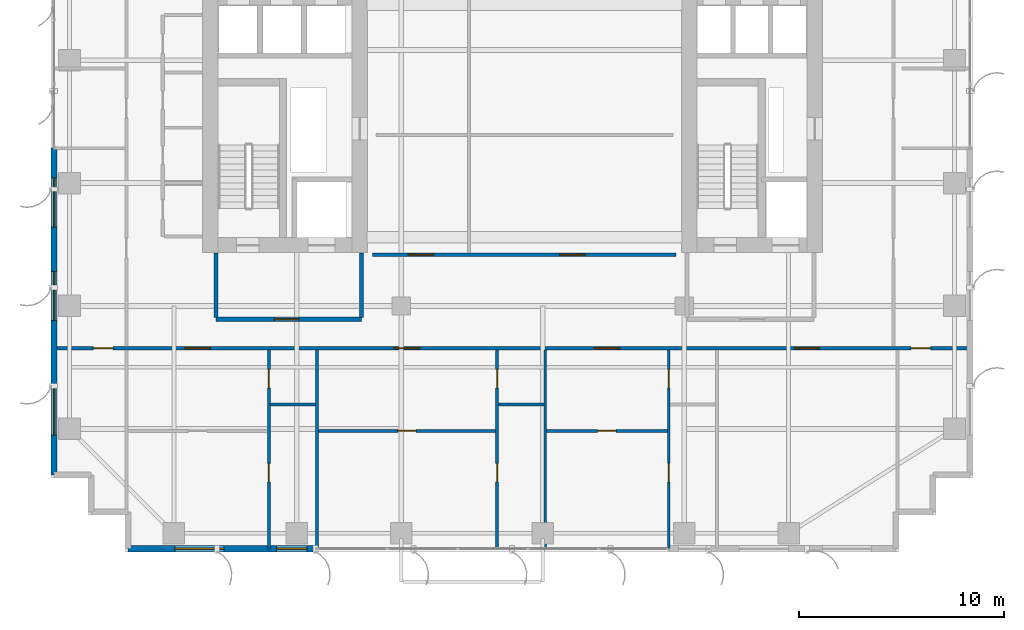
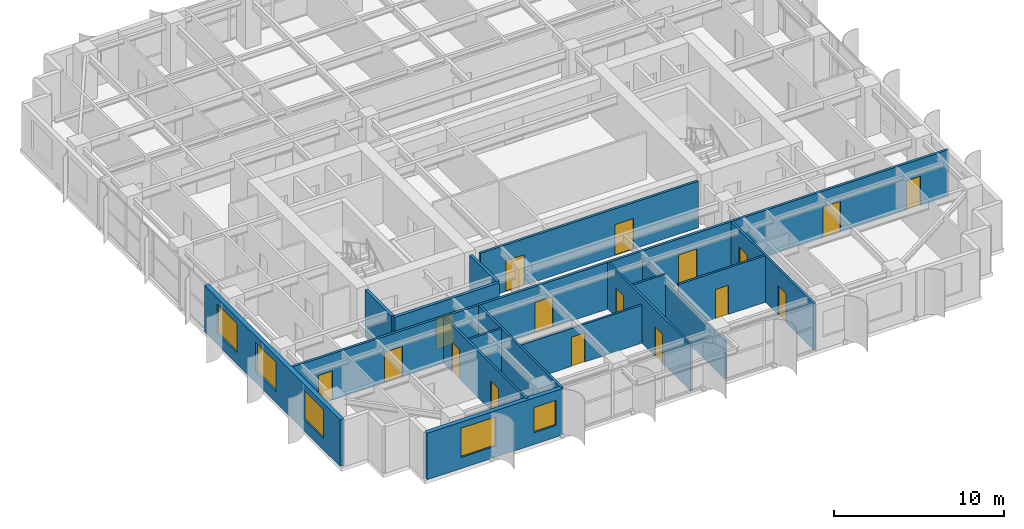
# One storey, part 20 of 27: 17 doors, 16 walls, 5 windows, 22 openings.
"""IFC4 building model written with IfcOpenShell, lengths in metres."""

from ifc_helpers import new_model, si_unit, direction, frame, frame_2d, origin, place, context, subcontext, project, spatial, rectangle, extrude, source, transform, mapped, material, layer, layer_set, type_object, element, fill, save


model = new_model("IFC4")

# Units and contexts
model_context = context("Model", 3, precision=1e-05, world=origin(), true_north=direction((0.0, 1.0)))
body_context = subcontext(model_context, "Body", "Model", "MODEL_VIEW")
ifc_project = project(units=[si_unit("LENGTHUNIT", "METRE"), si_unit("AREAUNIT", "SQUARE_METRE"), si_unit("VOLUMEUNIT", "CUBIC_METRE"), si_unit("PLANEANGLEUNIT", "RADIAN"), si_unit("MASSUNIT", "GRAM", prefix="KILO")], contexts=[model_context])

# Site, building, storey
site_placement = place(None, origin())
site = spatial("IfcSite", under=ifc_project, at=site_placement, CompositionType="ELEMENT")
building_placement = place(site_placement, origin())
building = spatial("IfcBuilding", under=site, at=building_placement, Name="Khoralis Quay Care Tower", CompositionType="ELEMENT")
storey_placement = place(building_placement, frame((0.0, 0.0, 105.300048828125)))
storey = spatial("IfcBuildingStorey", under=building, at=storey_placement, Name="L27", CompositionType="ELEMENT", Elevation=105.300048828125)

# Wall, opening, door
ifc_material_1 = material(Name="Gypsum plasterboard on acoustic metal stud")
ifc_layer_1 = layer(ifc_material_1, 0.199951171875)
ifc_layer_set_1 = layer_set([ifc_layer_1], Name="Gypsum plasterboard on acoustic metal stud")
wall_type_1 = type_object("IfcWallType", Name="WL-COMP-200", PredefinedType="PARTITIONING", material=ifc_layer_set_1)
wall_1_placement = place(storey_placement, frame((8.050048828125, 11.35009765625, 0.0), z_axis=(0.0, 0.0, 1.0), x_axis=(1.0, 0.0, 0.0)))
wall_1 = element("IfcWall", 1, at=wall_1_placement, inside=storey, type_object=wall_type_1, Name="L27 West Firefighting Lobby South Wall", PredefinedType="PARTITIONING", context=body_context, shape_type="SweptSolid", body=[
    extrude(rectangle(XDim=7.099853515625, YDim=0.199951171875, at=frame_2d((3.5498046875, 0.0))), origin(), (0.0, 0.0, 1.0), 3.33984375),
])
opening_1_placement = place(wall_1_placement, frame((2.846435546875, 0.0, 0.0)))
opening_1 = element("IfcOpeningElement", 2, at=opening_1_placement, cuts=wall_1, Name="Opening FD1", PredefinedType="OPENING", context=body_context, shape_type="SweptSolid", body=[
    extrude(rectangle(XDim=1.199951171875, YDim=2.199951171875, at=frame_2d((0.60009765625, 1.10009765625))), frame((0.0, 0.10986328125, 0.0), z_axis=(0.0, -1.0, 0.0), x_axis=(1.0, 0.0, 0.0)), (0.0, 0.0, 1.0), 0.219970703125),
])
ifc_material_2 = material(Name="Fire-rated painted steel", Category="steel")
door_type_1 = type_object("IfcDoorType", Name="DR-FFL-1200X2200", OperationType="NOTDEFINED", PredefinedType="DOOR", material=ifc_material_2)
shared_shape_1 = source(origin(), body_context, "Body", "SweptSolid", [
    extrude(rectangle(XDim=1.199951171875, YDim=2.199951171875, at=frame_2d((0.60009765625, 1.10009765625))), frame((0.0, 0.02490234375, 0.0), z_axis=(0.0, -1.0, 0.0), x_axis=(1.0, 0.0, 0.0)), (0.0, 0.0, 1.0), 0.050048828125),
])
door_1_placement = place(opening_1_placement, origin())
door_1 = element("IfcDoor", 3, at=door_1_placement, inside=storey, type_object=door_type_1, Name="L27 West Firefighting Lobby Fire Door", OperationType="SINGLE_SWING_LEFT", OverallHeight=2.199951171875, OverallWidth=1.199951171875, PredefinedType="DOOR", context=body_context, shape_type="MappedRepresentation", body=[
    mapped(shared_shape_1, transform((0.0, 0.0, 0.0), scale=1.0)),
])
fill(opening_1, door_1)

# Walls
for number, where, z_axis, x_axis, name in (
    (4, (8.050048828125, 11.445068359375, 0.0), (0.0, 0.0, 1.0), (0.0, 1.0, 0.0), "L27 West Firefighting Lobby West Wall"),
    (5, (15.14990234375, 11.445068359375, 0.0), (0.0, 0.0, 1.0), (0.0, 1.0, 0.0), "L27 West Firefighting Lobby East Wall"),
):
    element("IfcWall", number, at=place(storey_placement, frame(where, z_axis=z_axis, x_axis=x_axis)), inside=storey, type_object=wall_type_1, Name=name, PredefinedType="PARTITIONING", context=body_context, shape_type="SweptSolid", body=[
        extrude(rectangle(XDim=3.135009765625, YDim=0.199951171875, at=frame_2d((1.5673828125, 0.0))), origin(), (0.0, 0.0, 1.0), 3.33984375),
    ])

# Wall, openings, doors
ifc_layer_2 = layer(ifc_material_1, 0.1650390625)
ifc_layer_set_2 = layer_set([ifc_layer_2], Name="Gypsum plasterboard on acoustic metal stud")
wall_type_2 = type_object("IfcWallType", Name="WL-CORR-165", PredefinedType="PARTITIONING", material=ifc_layer_set_2)
wall_2_placement = place(storey_placement, frame((0.14501953125, 9.93994140625, 0.0), z_axis=(0.0, 0.0, 1.0), x_axis=(1.0, 0.0, 0.0)))
wall_2 = element("IfcWall", 6, at=wall_2_placement, inside=storey, type_object=wall_type_2, Name="L27 South Main Corridor Wall", PredefinedType="PARTITIONING", context=body_context, shape_type="SweptSolid", body=[
    extrude(rectangle(XDim=44.7099609375, YDim=0.1650390625, at=frame_2d((22.35498046875, 0.0))), origin(), (0.0, 0.0, 1.0), 3.33984375),
])
opening_2_placement = place(wall_2_placement, frame((6.385009765625, 0.0, 0.0)))
opening_2 = element("IfcOpeningElement", 7, at=opening_2_placement, cuts=wall_2, Name="Opening CD1", PredefinedType="OPENING", context=body_context, shape_type="SweptSolid", body=[
    extrude(rectangle(XDim=1.25, YDim=2.199951171875, at=frame_2d((0.625, 1.10009765625))), frame((0.0, 0.092529296875, 0.0), z_axis=(0.0, -1.0, 0.0), x_axis=(1.0, 0.0, 0.0)), (0.0, 0.0, 1.0), 0.18505859375),
])
opening_3_placement = place(wall_2_placement, frame((16.60498046875, 0.0, 0.0)))
opening_3 = element("IfcOpeningElement", 8, at=opening_3_placement, cuts=wall_2, Name="Opening CD1", PredefinedType="OPENING", context=body_context, shape_type="SweptSolid", body=[
    extrude(rectangle(XDim=1.25, YDim=2.199951171875, at=frame_2d((0.625, 1.10009765625))), frame((0.0, 0.092529296875, 0.0), z_axis=(0.0, -1.0, 0.0), x_axis=(1.0, 0.0, 0.0)), (0.0, 0.0, 1.0), 0.18505859375),
])
opening_4_placement = place(wall_2_placement, frame((26.364990234375, 0.0, 0.0)))
opening_4 = element("IfcOpeningElement", 9, at=opening_4_placement, cuts=wall_2, Name="Opening CD1", PredefinedType="OPENING", context=body_context, shape_type="SweptSolid", body=[
    extrude(rectangle(XDim=1.25, YDim=2.199951171875, at=frame_2d((0.625, 1.10009765625))), frame((0.0, 0.092529296875, 0.0), z_axis=(0.0, -1.0, 0.0), x_axis=(1.0, 0.0, 0.0)), (0.0, 0.0, 1.0), 0.18505859375),
])
opening_5_placement = place(wall_2_placement, frame((36.1650390625, 0.0, 0.0)))
opening_5 = element("IfcOpeningElement", 10, at=opening_5_placement, cuts=wall_2, Name="Opening FD1", PredefinedType="OPENING", context=body_context, shape_type="SweptSolid", body=[
    extrude(rectangle(XDim=1.199951171875, YDim=2.199951171875, at=frame_2d((0.60009765625, 1.10009765625))), frame((0.0, 0.092529296875, 0.0), z_axis=(0.0, -1.0, 0.0), x_axis=(1.0, 0.0, 0.0)), (0.0, 0.0, 1.0), 0.18505859375),
])
opening_6_placement = place(wall_2_placement, frame((1.919921875, 0.0, 0.0)))
opening_6 = element("IfcOpeningElement", 11, at=opening_6_placement, cuts=wall_2, Name="Opening ID1", PredefinedType="OPENING", context=body_context, shape_type="SweptSolid", body=[
    extrude(rectangle(XDim=0.949951171875, YDim=2.10009765625, at=frame_2d((0.47509765625, 1.050048828125))), frame((0.0, 0.092529296875, 0.0), z_axis=(0.0, -1.0, 0.0), x_axis=(1.0, 0.0, 0.0)), (0.0, 0.0, 1.0), 0.18505859375),
])
opening_7_placement = place(wall_2_placement, frame((41.840087890625, 0.0, 0.0)))
opening_7 = element("IfcOpeningElement", 12, at=opening_7_placement, cuts=wall_2, Name="Opening ID1", PredefinedType="OPENING", context=body_context, shape_type="SweptSolid", body=[
    extrude(rectangle(XDim=0.949951171875, YDim=2.10009765625, at=frame_2d((0.47509765625, 1.050048828125))), frame((0.0, 0.092529296875, 0.0), z_axis=(0.0, -1.0, 0.0), x_axis=(1.0, 0.0, 0.0)), (0.0, 0.0, 1.0), 0.18505859375),
])
door_2_placement = place(opening_5_placement, frame((1.199951171875, 0.0, 0.0), z_axis=(0.0, 0.0, 1.0), x_axis=(-1.0, 0.0, 0.0)))
door_2 = element("IfcDoor", 13, at=door_2_placement, inside=storey, type_object=door_type_1, Name="L27 Assisted Communal Dining Room Door", OperationType="DOUBLE_DOOR_SINGLE_SWING", OverallHeight=2.199951171875, OverallWidth=1.199951171875, PredefinedType="DOOR", context=body_context, shape_type="MappedRepresentation", body=[
    mapped(shared_shape_1, transform((0.0, 0.0, 0.0), scale=1.0)),
])
fill(opening_5, door_2)
ifc_material_3 = material(Name="Acoustic hardwood timber", Category="wood")
door_type_2 = type_object("IfcDoorType", Name="DR-CARE-1250X2200", OperationType="NOTDEFINED", PredefinedType="DOOR", material=ifc_material_3)
shared_shape_2 = source(origin(), body_context, "Body", "SweptSolid", [
    extrude(rectangle(XDim=1.25, YDim=2.199951171875, at=frame_2d((0.625, 1.10009765625))), frame((0.0, 0.02490234375, 0.0), z_axis=(0.0, -1.0, 0.0), x_axis=(1.0, 0.0, 0.0)), (0.0, 0.0, 1.0), 0.050048828125),
])
door_3_placement = place(opening_2_placement, frame((1.25, 0.0, 0.0), z_axis=(0.0, 0.0, 1.0), x_axis=(-1.0, 0.0, 0.0)))
door_3 = element("IfcDoor", 14, at=door_3_placement, inside=storey, type_object=door_type_2, Name="L27 Care Suite SB0 Clinical Door", OperationType="SINGLE_SWING_LEFT", OverallHeight=2.199951171875, OverallWidth=1.25, PredefinedType="DOOR", context=body_context, shape_type="MappedRepresentation", body=[
    mapped(shared_shape_2, transform((0.0, 0.0, 0.0), scale=1.0)),
])
fill(opening_2, door_3)
door_4_placement = place(opening_3_placement, frame((1.25, 0.0, 0.0), z_axis=(0.0, 0.0, 1.0), x_axis=(-1.0, 0.0, 0.0)))
door_4 = element("IfcDoor", 15, at=door_4_placement, inside=storey, type_object=door_type_2, Name="L27 Care Suite SB1 Clinical Door", OperationType="SINGLE_SWING_RIGHT", OverallHeight=2.199951171875, OverallWidth=1.25, PredefinedType="DOOR", context=body_context, shape_type="MappedRepresentation", body=[
    mapped(shared_shape_2, transform((0.0, 0.0, 0.0), scale=1.0)),
])
fill(opening_3, door_4)
door_5_placement = place(opening_4_placement, frame((1.25, 0.0, 0.0), z_axis=(0.0, 0.0, 1.0), x_axis=(-1.0, 0.0, 0.0)))
door_5 = element("IfcDoor", 16, at=door_5_placement, inside=storey, type_object=door_type_2, Name="L27 Care Suite SB2 Clinical Door", OperationType="SINGLE_SWING_LEFT", OverallHeight=2.199951171875, OverallWidth=1.25, PredefinedType="DOOR", context=body_context, shape_type="MappedRepresentation", body=[
    mapped(shared_shape_2, transform((0.0, 0.0, 0.0), scale=1.0)),
])
fill(opening_4, door_5)
door_type_3 = type_object("IfcDoorType", Name="DR-ROOM-950X2100", OperationType="NOTDEFINED", PredefinedType="DOOR", material=ifc_material_3)
shared_shape_3 = source(origin(), body_context, "Body", "SweptSolid", [
    extrude(rectangle(XDim=0.949951171875, YDim=2.10009765625, at=frame_2d((0.47509765625, 1.050048828125))), frame((0.0, 0.02490234375, 0.0), z_axis=(0.0, -1.0, 0.0), x_axis=(1.0, 0.0, 0.0)), (0.0, 0.0, 1.0), 0.050048828125),
])
door_6_placement = place(opening_6_placement, frame((0.949951171875, 0.0, 0.0), z_axis=(0.0, 0.0, 1.0), x_axis=(-1.0, 0.0, 0.0)))
door_6 = element("IfcDoor", 17, at=door_6_placement, inside=storey, type_object=door_type_3, Name="L27 SW Corner Door", OperationType="SINGLE_SWING_LEFT", OverallHeight=2.10009765625, OverallWidth=0.949951171875, PredefinedType="DOOR", context=body_context, shape_type="MappedRepresentation", body=[
    mapped(shared_shape_3, transform((0.0, 0.0, 0.0), scale=1.0)),
])
fill(opening_6, door_6)
door_7_placement = place(opening_7_placement, frame((0.949951171875, 0.0, 0.0), z_axis=(0.0, 0.0, 1.0), x_axis=(-1.0, 0.0, 0.0)))
door_7 = element("IfcDoor", 18, at=door_7_placement, inside=storey, type_object=door_type_3, Name="L27 SE Corner Door", OperationType="SINGLE_SWING_RIGHT", OverallHeight=2.10009765625, OverallWidth=0.949951171875, PredefinedType="DOOR", context=body_context, shape_type="MappedRepresentation", body=[
    mapped(shared_shape_3, transform((0.0, 0.0, 0.0), scale=1.0)),
])
fill(opening_7, door_7)

wall_3_placement = place(storey_placement, frame((15.699951171875, 14.5, 0.0), z_axis=(0.0, 0.0, 1.0), x_axis=(1.0, 0.0, 0.0)))
wall_3 = element("IfcWall", 19, at=wall_3_placement, inside=storey, type_object=wall_type_2, Name="L27 Central Clinical South Wall", PredefinedType="PARTITIONING", context=body_context, shape_type="SweptSolid", body=[
    extrude(rectangle(XDim=14.800048828125, YDim=0.1650390625, at=frame_2d((7.39990234375, 0.0))), origin(), (0.0, 0.0, 1.0), 3.33984375),
])
opening_8_placement = place(wall_3_placement, frame((1.72509765625, 0.0, 0.0)))
opening_8 = element("IfcOpeningElement", 20, at=opening_8_placement, cuts=wall_3, Name="Opening CD1", PredefinedType="OPENING", context=body_context, shape_type="SweptSolid", body=[
    extrude(rectangle(XDim=1.25, YDim=2.199951171875, at=frame_2d((0.625, 1.10009765625))), frame((0.0, 0.092529296875, 0.0), z_axis=(0.0, -1.0, 0.0), x_axis=(1.0, 0.0, 0.0)), (0.0, 0.0, 1.0), 0.18505859375),
])
opening_9_placement = place(wall_3_placement, frame((9.125, 0.0, 0.0)))
opening_9 = element("IfcOpeningElement", 21, at=opening_9_placement, cuts=wall_3, Name="Opening CD1", PredefinedType="OPENING", context=body_context, shape_type="SweptSolid", body=[
    extrude(rectangle(XDim=1.25, YDim=2.199951171875, at=frame_2d((0.625, 1.10009765625))), frame((0.0, 0.092529296875, 0.0), z_axis=(0.0, -1.0, 0.0), x_axis=(1.0, 0.0, 0.0)), (0.0, 0.0, 1.0), 0.18505859375),
])
door_8_placement = place(opening_8_placement, origin())
door_8 = element("IfcDoor", 22, at=door_8_placement, inside=storey, type_object=door_type_2, Name="L27 Nurse Station Door", OperationType="SINGLE_SWING_LEFT", OverallHeight=2.199951171875, OverallWidth=1.25, PredefinedType="DOOR", context=body_context, shape_type="MappedRepresentation", body=[
    mapped(shared_shape_2, transform((0.0, 0.0, 0.0), scale=1.0)),
])
fill(opening_8, door_8)
door_9_placement = place(opening_9_placement, origin())
door_9 = element("IfcDoor", 23, at=door_9_placement, inside=storey, type_object=door_type_2, Name="L27 Treatment Clinic Door", OperationType="SINGLE_SWING_RIGHT", OverallHeight=2.199951171875, OverallWidth=1.25, PredefinedType="DOOR", context=body_context, shape_type="MappedRepresentation", body=[
    mapped(shared_shape_2, transform((0.0, 0.0, 0.0), scale=1.0)),
])
fill(opening_9, door_9)

# Wall, openings, windows
ifc_material_4 = material(Name="Precast concrete C45/55", Category="concrete")
ifc_layer_3 = layer(ifc_material_4, 0.300048828125)
ifc_layer_set_3 = layer_set([ifc_layer_3], Name="Precast concrete C45/55")
wall_type_3 = type_object("IfcWallType", Name="WL-EXT-REF-300", PredefinedType="SOLIDWALL", material=ifc_layer_set_3)
wall_4_placement = place(storey_placement, frame((3.75, 0.14990234375, 0.0), z_axis=(0.0, 0.0, 1.0), x_axis=(1.0, 0.0, 0.0)))
wall_4 = element("IfcWall", 24, at=wall_4_placement, inside=storey, type_object=wall_type_3, Name="L27 External Facade Wall WL-EXT-L27-P1-E0A", PredefinedType="SOLIDWALL", context=body_context, shape_type="SweptSolid", body=[
    extrude(rectangle(XDim=9.22998046875, YDim=0.300048828125, at=frame_2d((4.614990234375, 0.0))), origin(), (0.0, 0.0, 1.0), 3.33984375),
])
opening_10_placement = place(wall_4_placement, frame((2.2900390625, 0.0, 0.800048828125)))
opening_10 = element("IfcOpeningElement", 25, at=opening_10_placement, cuts=wall_4, Name="Opening W1", PredefinedType="OPENING", context=body_context, shape_type="SweptSolid", body=[
    extrude(rectangle(XDim=2.39990234375, YDim=2.10009765625, at=frame_2d((1.199951171875, 1.050048828125))), frame((0.0, 0.16015625, 0.0), z_axis=(0.0, -1.0, 0.0), x_axis=(1.0, 0.0, 0.0)), (0.0, 0.0, 1.0), 0.320068359375),
])
opening_11_placement = place(wall_4_placement, frame((7.2548828125, 0.0, 0.85009765625)))
opening_11 = element("IfcOpeningElement", 26, at=opening_11_placement, cuts=wall_4, Name="Opening W3", PredefinedType="OPENING", context=body_context, shape_type="SweptSolid", body=[
    extrude(rectangle(XDim=1.5, YDim=1.800048828125, at=frame_2d((0.75, 0.89990234375))), frame((0.0, 0.16015625, 0.0), z_axis=(0.0, -1.0, 0.0), x_axis=(1.0, 0.0, 0.0)), (0.0, 0.0, 1.0), 0.320068359375),
])
ifc_material_5 = material(Name="Low-E solar-control double glazing", Category="glass")
window_type_1 = type_object("IfcWindowType", Name="WN-CLIN-1500X1800", PartitioningType="SINGLE_PANEL", PredefinedType="WINDOW", material=ifc_material_5)
shared_shape_4 = source(origin(), body_context, "Body", "SweptSolid", [
    extrude(rectangle(XDim=1.5, YDim=1.800048828125, at=frame_2d((0.75, 0.89990234375))), frame((0.0, 0.030029296875, 0.0), z_axis=(0.0, -1.0, 0.0), x_axis=(1.0, 0.0, 0.0)), (0.0, 0.0, 1.0), 0.06005859375),
])
window_1_placement = place(opening_11_placement, origin())
window_1 = element("IfcWindow", 27, at=window_1_placement, inside=storey, type_object=window_type_1, Name="WN-L27-P1-E0A Facade Window 02", OverallHeight=1.800048828125, OverallWidth=1.5, PartitioningType="SINGLE_PANEL", PredefinedType="WINDOW", context=body_context, shape_type="MappedRepresentation", body=[
    mapped(shared_shape_4, transform((0.0, 0.0, 0.0), scale=1.0)),
])
fill(opening_11, window_1)
window_type_2 = type_object("IfcWindowType", Name="WN-POD-2400X2100", PartitioningType="SINGLE_PANEL", PredefinedType="WINDOW", material=ifc_material_5)
shared_shape_5 = source(origin(), body_context, "Body", "SweptSolid", [
    extrude(rectangle(XDim=2.39990234375, YDim=2.10009765625, at=frame_2d((1.199951171875, 1.050048828125))), frame((0.0, 0.030029296875, 0.0), z_axis=(0.0, -1.0, 0.0), x_axis=(1.0, 0.0, 0.0)), (0.0, 0.0, 1.0), 0.06005859375),
])
window_2_placement = place(opening_10_placement, origin())
window_2 = element("IfcWindow", 28, at=window_2_placement, inside=storey, type_object=window_type_2, Name="WN-L27-P1-E0A Facade Window 01", OverallHeight=2.10009765625, OverallWidth=2.39990234375, PartitioningType="SINGLE_PANEL", PredefinedType="WINDOW", context=body_context, shape_type="MappedRepresentation", body=[
    mapped(shared_shape_5, transform((0.0, 0.0, 0.0), scale=1.0)),
])
fill(opening_10, window_2)

wall_5_placement = place(storey_placement, frame((0.14990234375, 19.699951171875, 0.0), z_axis=(0.0, 0.0, 1.0), x_axis=(0.0, -1.0, 0.0)))
wall_5 = element("IfcWall", 29, at=wall_5_placement, inside=storey, type_object=wall_type_3, Name="L27 External Facade Wall WL-EXT-L27-P1-E15B", PredefinedType="SOLIDWALL", context=body_context, shape_type="SweptSolid", body=[
    extrude(rectangle(XDim=15.949951171875, YDim=0.300048828125, at=frame_2d((7.97509765625, 0.0))), origin(), (0.0, 0.0, 1.0), 3.33984375),
])
opening_12_placement = place(wall_5_placement, frame((1.445068359375, 0.0, 0.800048828125)))
opening_12 = element("IfcOpeningElement", 30, at=opening_12_placement, cuts=wall_5, Name="Opening W1", PredefinedType="OPENING", context=body_context, shape_type="SweptSolid", body=[
    extrude(rectangle(XDim=2.39990234375, YDim=2.10009765625, at=frame_2d((1.199951171875, 1.050048828125))), frame((0.0, 0.16015625, 0.0), z_axis=(0.0, -1.0, 0.0), x_axis=(1.0, 0.0, 0.0)), (0.0, 0.0, 1.0), 0.320068359375),
])
opening_13_placement = place(wall_5_placement, frame((6.014892578125, 0.0, 0.800048828125)))
opening_13 = element("IfcOpeningElement", 31, at=opening_13_placement, cuts=wall_5, Name="Opening W1", PredefinedType="OPENING", context=body_context, shape_type="SweptSolid", body=[
    extrude(rectangle(XDim=2.39990234375, YDim=2.10009765625, at=frame_2d((1.199951171875, 1.050048828125))), frame((0.0, 0.16015625, 0.0), z_axis=(0.0, -1.0, 0.0), x_axis=(1.0, 0.0, 0.0)), (0.0, 0.0, 1.0), 0.320068359375),
])
opening_14_placement = place(wall_5_placement, frame((11.60498046875, 0.0, 0.800048828125)))
opening_14 = element("IfcOpeningElement", 32, at=opening_14_placement, cuts=wall_5, Name="Opening W1", PredefinedType="OPENING", context=body_context, shape_type="SweptSolid", body=[
    extrude(rectangle(XDim=2.39990234375, YDim=2.10009765625, at=frame_2d((1.199951171875, 1.050048828125))), frame((0.0, 0.16015625, 0.0), z_axis=(0.0, -1.0, 0.0), x_axis=(1.0, 0.0, 0.0)), (0.0, 0.0, 1.0), 0.320068359375),
])
window_3_placement = place(opening_12_placement, origin())
window_3 = element("IfcWindow", 33, at=window_3_placement, inside=storey, type_object=window_type_2, Name="WN-L27-P1-E15B Facade Window 01", OverallHeight=2.10009765625, OverallWidth=2.39990234375, PartitioningType="SINGLE_PANEL", PredefinedType="WINDOW", context=body_context, shape_type="MappedRepresentation", body=[
    mapped(shared_shape_5, transform((0.0, 0.0, 0.0), scale=1.0)),
])
fill(opening_12, window_3)
window_4_placement = place(opening_13_placement, origin())
window_4 = element("IfcWindow", 34, at=window_4_placement, inside=storey, type_object=window_type_2, Name="WN-L27-P1-E15B Facade Window 02", OverallHeight=2.10009765625, OverallWidth=2.39990234375, PartitioningType="SINGLE_PANEL", PredefinedType="WINDOW", context=body_context, shape_type="MappedRepresentation", body=[
    mapped(shared_shape_5, transform((0.0, 0.0, 0.0), scale=1.0)),
])
fill(opening_13, window_4)
window_5_placement = place(opening_14_placement, origin())
window_5 = element("IfcWindow", 35, at=window_5_placement, inside=storey, type_object=window_type_2, Name="WN-L27-P1-E15B Facade Window 03", OverallHeight=2.10009765625, OverallWidth=2.39990234375, PartitioningType="SINGLE_PANEL", PredefinedType="WINDOW", context=body_context, shape_type="MappedRepresentation", body=[
    mapped(shared_shape_5, transform((0.0, 0.0, 0.0), scale=1.0)),
])
fill(opening_14, window_5)

# Wall, openings, doors
ifc_material_6 = material(Name="Moisture-resistant gypsum and ceramic tile")
ifc_layer_4 = layer(ifc_material_6, 0.280029296875)
ifc_layer_set_4 = layer_set([ifc_layer_4], Name="Moisture-resistant gypsum and ceramic tile")
wall_type_4 = type_object("IfcWallType", Name="WL-PLUMB-280", PredefinedType="PLUMBINGWALL", material=ifc_layer_set_4)
wall_6_placement = place(storey_placement, frame((10.6298828125, 0.14501953125, 0.0), z_axis=(0.0, 0.0, 1.0), x_axis=(0.0, 1.0, 0.0)))
wall_6 = element("IfcWall", 36, at=wall_6_placement, inside=storey, type_object=wall_type_4, Name="L27 Care Suite 0 En-Suite Wall V", PredefinedType="PLUMBINGWALL", context=body_context, shape_type="SweptSolid", body=[
    extrude(rectangle(XDim=9.717529296875, YDim=0.139892578125, at=frame_2d((4.85888671875, 0.0))), origin(), (0.0, 0.0, 1.0), 3.33984375),
])
opening_15_placement = place(wall_6_placement, frame((7.85498046875, 0.0, 0.0)))
opening_15 = element("IfcOpeningElement", 37, at=opening_15_placement, cuts=wall_6, Name="Opening WD1", PredefinedType="OPENING", context=body_context, shape_type="SweptSolid", body=[
    extrude(rectangle(XDim=0.89990234375, YDim=2.10009765625, at=frame_2d((0.449951171875, 1.050048828125))), frame((0.0, 0.080078125, 0.0), z_axis=(0.0, -1.0, 0.0), x_axis=(1.0, 0.0, 0.0)), (0.0, 0.0, 1.0), 0.159912109375),
])
opening_16_placement = place(wall_6_placement, frame((3.27490234375, 0.0, 0.0)))
opening_16 = element("IfcOpeningElement", 38, at=opening_16_placement, cuts=wall_6, Name="Opening WD1", PredefinedType="OPENING", context=body_context, shape_type="SweptSolid", body=[
    extrude(rectangle(XDim=0.89990234375, YDim=2.10009765625, at=frame_2d((0.449951171875, 1.050048828125))), frame((0.0, 0.080078125, 0.0), z_axis=(0.0, -1.0, 0.0), x_axis=(1.0, 0.0, 0.0)), (0.0, 0.0, 1.0), 0.159912109375),
])
door_type_4 = type_object("IfcDoorType", Name="DR-BATH-900X2100", OperationType="NOTDEFINED", PredefinedType="DOOR", material=ifc_material_3)
shared_shape_6 = source(origin(), body_context, "Body", "SweptSolid", [
    extrude(rectangle(XDim=0.89990234375, YDim=2.10009765625, at=frame_2d((0.449951171875, 1.050048828125))), frame((0.0, 0.02490234375, 0.0), z_axis=(0.0, -1.0, 0.0), x_axis=(1.0, 0.0, 0.0)), (0.0, 0.0, 1.0), 0.050048828125),
])
door_10_placement = place(opening_15_placement, frame((0.89990234375, 0.0, 0.0), z_axis=(0.0, 0.0, 1.0), x_axis=(-1.0, 0.0, 0.0)))
door_10 = element("IfcDoor", 39, at=door_10_placement, inside=storey, type_object=door_type_4, Name="L27 Care CENS Door", OperationType="SINGLE_SWING_RIGHT", OverallHeight=2.10009765625, OverallWidth=0.89990234375, PredefinedType="DOOR", context=body_context, shape_type="MappedRepresentation", body=[
    mapped(shared_shape_6, transform((0.0, 0.0, 0.0), scale=1.0)),
])
fill(opening_15, door_10)
door_11_placement = place(opening_16_placement, frame((0.89990234375, 0.0, 0.0), z_axis=(0.0, 0.0, 1.0), x_axis=(-1.0, 0.0, 0.0)))
door_11 = element("IfcDoor", 40, at=door_11_placement, inside=storey, type_object=door_type_4, Name="L27 Care CSIT Door", OperationType="SINGLE_SWING_LEFT", OverallHeight=2.10009765625, OverallWidth=0.89990234375, PredefinedType="DOOR", context=body_context, shape_type="MappedRepresentation", body=[
    mapped(shared_shape_6, transform((0.0, 0.0, 0.0), scale=1.0)),
])
fill(opening_16, door_11)

# Wall
wall_7_placement = place(storey_placement, frame((10.695068359375, 7.18994140625, 0.0), z_axis=(0.0, 0.0, 1.0), x_axis=(1.0, 0.0, 0.0)))
element("IfcWall", 41, at=wall_7_placement, inside=storey, type_object=wall_type_4, Name="L27 Care Suite 0 En-Suite Wall H", PredefinedType="PLUMBINGWALL", context=body_context, shape_type="SweptSolid", body=[
    extrude(rectangle(XDim=2.219970703125, YDim=0.139892578125, at=frame_2d((1.10986328125, 0.0))), origin(), (0.0, 0.0, 1.0), 3.33984375),
])

# Wall, openings, doors
wall_8_placement = place(storey_placement, frame((21.77001953125, 0.14501953125, 0.0), z_axis=(0.0, 0.0, 1.0), x_axis=(0.0, 1.0, 0.0)))
wall_8 = element("IfcWall", 42, at=wall_8_placement, inside=storey, type_object=wall_type_4, Name="L27 Care Suite 1 En-Suite Wall V", PredefinedType="PLUMBINGWALL", context=body_context, shape_type="SweptSolid", body=[
    extrude(rectangle(XDim=9.717529296875, YDim=0.139892578125, at=frame_2d((4.85888671875, 0.0))), origin(), (0.0, 0.0, 1.0), 3.33984375),
])
opening_17_placement = place(wall_8_placement, frame((7.85498046875, 0.0, 0.0)))
opening_17 = element("IfcOpeningElement", 43, at=opening_17_placement, cuts=wall_8, Name="Opening WD1", PredefinedType="OPENING", context=body_context, shape_type="SweptSolid", body=[
    extrude(rectangle(XDim=0.89990234375, YDim=2.10009765625, at=frame_2d((0.449951171875, 1.050048828125))), frame((0.0, 0.080078125, 0.0), z_axis=(0.0, -1.0, 0.0), x_axis=(1.0, 0.0, 0.0)), (0.0, 0.0, 1.0), 0.159912109375),
])
opening_18_placement = place(wall_8_placement, frame((3.27490234375, 0.0, 0.0)))
opening_18 = element("IfcOpeningElement", 44, at=opening_18_placement, cuts=wall_8, Name="Opening WD1", PredefinedType="OPENING", context=body_context, shape_type="SweptSolid", body=[
    extrude(rectangle(XDim=0.89990234375, YDim=2.10009765625, at=frame_2d((0.449951171875, 1.050048828125))), frame((0.0, 0.080078125, 0.0), z_axis=(0.0, -1.0, 0.0), x_axis=(1.0, 0.0, 0.0)), (0.0, 0.0, 1.0), 0.159912109375),
])
door_12_placement = place(opening_17_placement, frame((0.89990234375, 0.0, 0.0), z_axis=(0.0, 0.0, 1.0), x_axis=(-1.0, 0.0, 0.0)))
door_12 = element("IfcDoor", 45, at=door_12_placement, inside=storey, type_object=door_type_4, Name="L27 Care CENS Door", OperationType="SINGLE_SWING_LEFT", OverallHeight=2.10009765625, OverallWidth=0.89990234375, PredefinedType="DOOR", context=body_context, shape_type="MappedRepresentation", body=[
    mapped(shared_shape_6, transform((0.0, 0.0, 0.0), scale=1.0)),
])
fill(opening_17, door_12)
door_13_placement = place(opening_18_placement, frame((0.89990234375, 0.0, 0.0), z_axis=(0.0, 0.0, 1.0), x_axis=(-1.0, 0.0, 0.0)))
door_13 = element("IfcDoor", 46, at=door_13_placement, inside=storey, type_object=door_type_4, Name="L27 Care CSIT Door", OperationType="SINGLE_SWING_RIGHT", OverallHeight=2.10009765625, OverallWidth=0.89990234375, PredefinedType="DOOR", context=body_context, shape_type="MappedRepresentation", body=[
    mapped(shared_shape_6, transform((0.0, 0.0, 0.0), scale=1.0)),
])
fill(opening_18, door_13)

# Wall
wall_9_placement = place(storey_placement, frame((21.8349609375, 7.18994140625, 0.0), z_axis=(0.0, 0.0, 1.0), x_axis=(1.0, 0.0, 0.0)))
element("IfcWall", 47, at=wall_9_placement, inside=storey, type_object=wall_type_4, Name="L27 Care Suite 1 En-Suite Wall H", PredefinedType="PLUMBINGWALL", context=body_context, shape_type="SweptSolid", body=[
    extrude(rectangle(XDim=2.219970703125, YDim=0.139892578125, at=frame_2d((1.10986328125, 0.0))), origin(), (0.0, 0.0, 1.0), 3.33984375),
])

# Wall, openings, doors
wall_10_placement = place(storey_placement, frame((30.14990234375, 0.14501953125, 0.0), z_axis=(0.0, 0.0, 1.0), x_axis=(0.0, 1.0, 0.0)))
wall_10 = element("IfcWall", 48, at=wall_10_placement, inside=storey, type_object=wall_type_4, Name="L27 Care Suite 2 En-Suite Wall V", PredefinedType="PLUMBINGWALL", context=body_context, shape_type="SweptSolid", body=[
    extrude(rectangle(XDim=9.717529296875, YDim=0.139892578125, at=frame_2d((4.85888671875, 0.0))), origin(), (0.0, 0.0, 1.0), 3.33984375),
])
opening_19_placement = place(wall_10_placement, frame((7.85498046875, 0.0, 0.0)))
opening_19 = element("IfcOpeningElement", 49, at=opening_19_placement, cuts=wall_10, Name="Opening WD1", PredefinedType="OPENING", context=body_context, shape_type="SweptSolid", body=[
    extrude(rectangle(XDim=0.89990234375, YDim=2.10009765625, at=frame_2d((0.449951171875, 1.050048828125))), frame((0.0, 0.080078125, 0.0), z_axis=(0.0, -1.0, 0.0), x_axis=(1.0, 0.0, 0.0)), (0.0, 0.0, 1.0), 0.159912109375),
])
opening_20_placement = place(wall_10_placement, frame((3.27490234375, 0.0, 0.0)))
opening_20 = element("IfcOpeningElement", 50, at=opening_20_placement, cuts=wall_10, Name="Opening WD1", PredefinedType="OPENING", context=body_context, shape_type="SweptSolid", body=[
    extrude(rectangle(XDim=0.89990234375, YDim=2.10009765625, at=frame_2d((0.449951171875, 1.050048828125))), frame((0.0, 0.080078125, 0.0), z_axis=(0.0, -1.0, 0.0), x_axis=(1.0, 0.0, 0.0)), (0.0, 0.0, 1.0), 0.159912109375),
])
door_14_placement = place(opening_19_placement, frame((0.89990234375, 0.0, 0.0), z_axis=(0.0, 0.0, 1.0), x_axis=(-1.0, 0.0, 0.0)))
door_14 = element("IfcDoor", 51, at=door_14_placement, inside=storey, type_object=door_type_4, Name="L27 Care CENS Door", OperationType="SINGLE_SWING_RIGHT", OverallHeight=2.10009765625, OverallWidth=0.89990234375, PredefinedType="DOOR", context=body_context, shape_type="MappedRepresentation", body=[
    mapped(shared_shape_6, transform((0.0, 0.0, 0.0), scale=1.0)),
])
fill(opening_19, door_14)
door_15_placement = place(opening_20_placement, frame((0.89990234375, 0.0, 0.0), z_axis=(0.0, 0.0, 1.0), x_axis=(-1.0, 0.0, 0.0)))
door_15 = element("IfcDoor", 52, at=door_15_placement, inside=storey, type_object=door_type_4, Name="L27 Care CSIT Door", OperationType="SINGLE_SWING_LEFT", OverallHeight=2.10009765625, OverallWidth=0.89990234375, PredefinedType="DOOR", context=body_context, shape_type="MappedRepresentation", body=[
    mapped(shared_shape_6, transform((0.0, 0.0, 0.0), scale=1.0)),
])
fill(opening_20, door_15)

# Walls
ifc_layer_5 = layer(ifc_material_1, 0.139892578125)
ifc_layer_set_5 = layer_set([ifc_layer_5], Name="Gypsum plasterboard on acoustic metal stud")
wall_type_5 = type_object("IfcWallType", Name="WL-UNIT-140", PredefinedType="PARTITIONING", material=ifc_layer_set_5)
wall_11_placement = place(storey_placement, frame((12.97998046875, 0.14501953125, 0.0), z_axis=(0.0, 0.0, 1.0), x_axis=(0.0, 1.0, 0.0)))
element("IfcWall", 53, at=wall_11_placement, inside=storey, type_object=wall_type_5, Name="L27 SB Demising Wall 1", PredefinedType="PARTITIONING", context=body_context, shape_type="SweptSolid", body=[
    extrude(rectangle(XDim=9.717529296875, YDim=0.139892578125, at=frame_2d((4.85888671875, 0.0))), origin(), (0.0, 0.0, 1.0), 3.33984375),
])
wall_12_placement = place(storey_placement, frame((24.1201171875, 0.14501953125, 0.0), z_axis=(0.0, 0.0, 1.0), x_axis=(0.0, 1.0, 0.0)))
element("IfcWall", 54, at=wall_12_placement, inside=storey, type_object=wall_type_5, Name="L27 SB Demising Wall 2", PredefinedType="PARTITIONING", context=body_context, shape_type="SweptSolid", body=[
    extrude(rectangle(XDim=9.717529296875, YDim=0.139892578125, at=frame_2d((4.85888671875, 0.0))), origin(), (0.0, 0.0, 1.0), 2.7958984375),
])

# Wall, opening, door
wall_13_placement = place(storey_placement, frame((13.044921875, 5.89990234375, 0.0), z_axis=(0.0, 0.0, 1.0), x_axis=(1.0, 0.0, 0.0)))
wall_13 = element("IfcWall", 55, at=wall_13_placement, inside=storey, type_object=wall_type_5, Name="Skilled Care Bedroom L27-SB1 Sub-Partition", PredefinedType="PARTITIONING", context=body_context, shape_type="SweptSolid", body=[
    extrude(rectangle(XDim=8.66015625, YDim=0.139892578125, at=frame_2d((4.330078125, 0.0))), origin(), (0.0, 0.0, 1.0), 2.722900390625),
])
opening_21_placement = place(wall_13_placement, frame((3.8798828125, 0.0, 0.0)))
opening_21 = element("IfcOpeningElement", 56, at=opening_21_placement, cuts=wall_13, Name="Opening WD1", PredefinedType="OPENING", context=body_context, shape_type="SweptSolid", body=[
    extrude(rectangle(XDim=0.89990234375, YDim=2.10009765625, at=frame_2d((0.449951171875, 1.050048828125))), frame((0.0, 0.080078125, 0.0), z_axis=(0.0, -1.0, 0.0), x_axis=(1.0, 0.0, 0.0)), (0.0, 0.0, 1.0), 0.159912109375),
])
door_16_placement = place(opening_21_placement, origin())
door_16 = element("IfcDoor", 57, at=door_16_placement, inside=storey, type_object=door_type_4, Name="Private Study & Reading Alcove ARE1 Door", OperationType="SINGLE_SWING_LEFT", OverallHeight=2.10009765625, OverallWidth=0.89990234375, PredefinedType="DOOR", context=body_context, shape_type="MappedRepresentation", body=[
    mapped(shared_shape_6, transform((0.0, 0.0, 0.0), scale=1.0)),
])
fill(opening_21, door_16)

wall_14_placement = place(storey_placement, frame((24.18505859375, 5.89990234375, 0.0), z_axis=(0.0, 0.0, 1.0), x_axis=(1.0, 0.0, 0.0)))
wall_14 = element("IfcWall", 58, at=wall_14_placement, inside=storey, type_object=wall_type_5, Name="Skilled Care Bedroom L27-SB2 Sub-Partition", PredefinedType="PARTITIONING", context=body_context, shape_type="SweptSolid", body=[
    extrude(rectangle(XDim=5.89990234375, YDim=0.139892578125, at=frame_2d((2.949951171875, 0.0))), origin(), (0.0, 0.0, 1.0), 3.33984375),
])
opening_22_placement = place(wall_14_placement, frame((2.5, 0.0, 0.0)))
opening_22 = element("IfcOpeningElement", 59, at=opening_22_placement, cuts=wall_14, Name="Opening WD1", PredefinedType="OPENING", context=body_context, shape_type="SweptSolid", body=[
    extrude(rectangle(XDim=0.89990234375, YDim=2.10009765625, at=frame_2d((0.449951171875, 1.050048828125))), frame((0.0, 0.080078125, 0.0), z_axis=(0.0, -1.0, 0.0), x_axis=(1.0, 0.0, 0.0)), (0.0, 0.0, 1.0), 0.159912109375),
])
door_17_placement = place(opening_22_placement, origin())
door_17 = element("IfcDoor", 60, at=door_17_placement, inside=storey, type_object=door_type_4, Name="Private Study & Reading Alcove ARE2 Door", OperationType="SINGLE_SWING_LEFT", OverallHeight=2.10009765625, OverallWidth=0.89990234375, PredefinedType="DOOR", context=body_context, shape_type="MappedRepresentation", body=[
    mapped(shared_shape_6, transform((0.0, 0.0, 0.0), scale=1.0)),
])
fill(opening_22, door_17)

save(model, "model.ifc")
